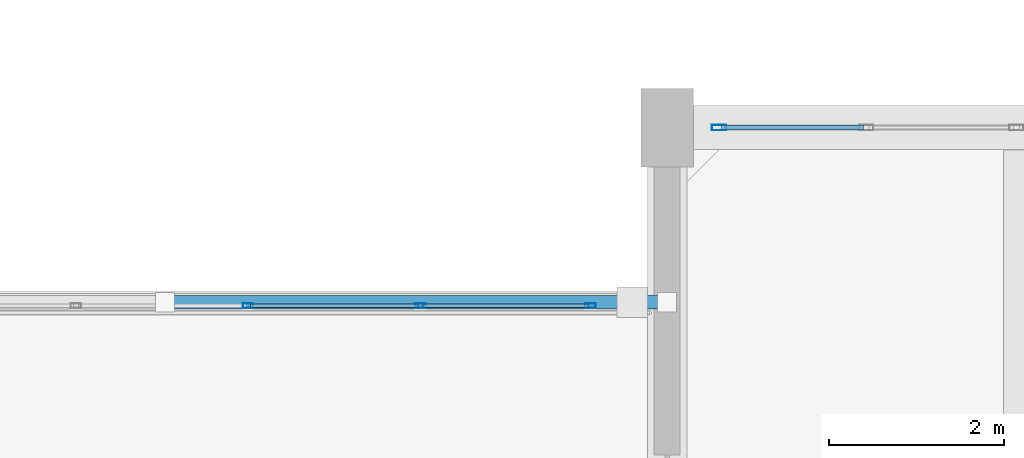
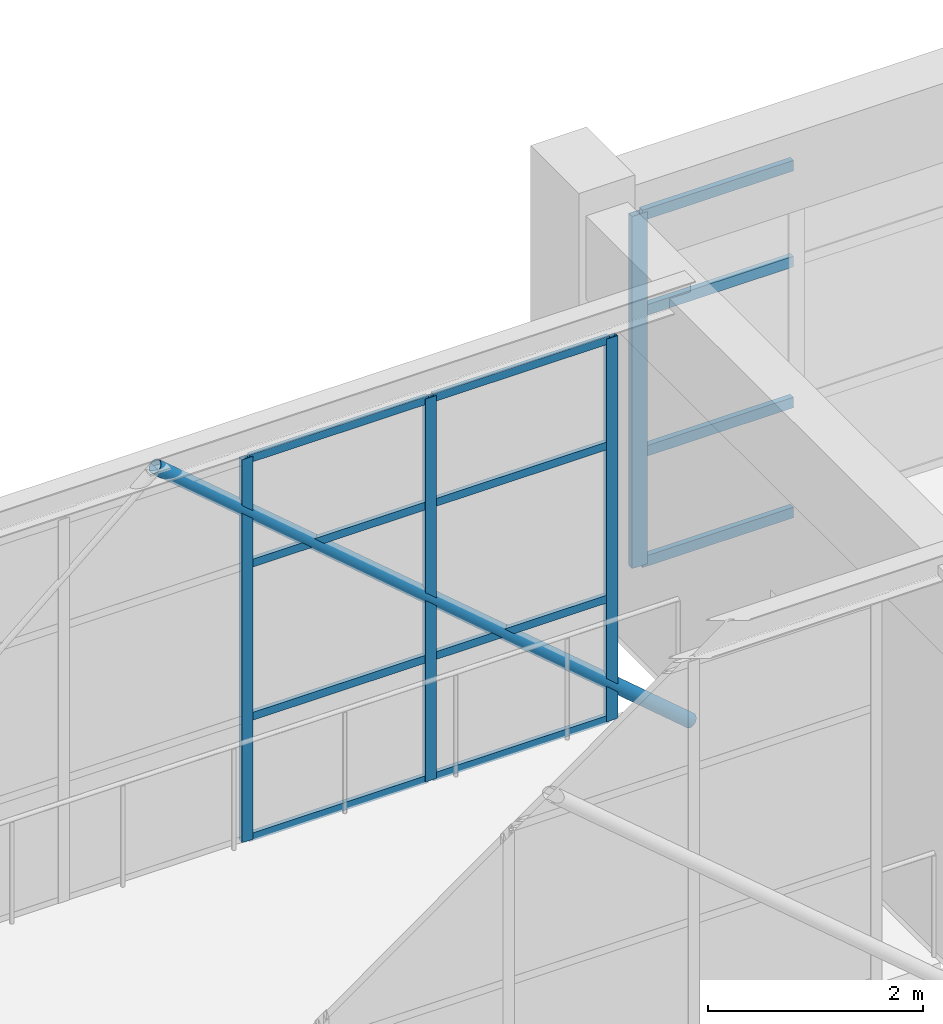
# One storey, part 176 of 248: 17 members, 2 elements without a shape of their own.
"""IFC4 building model written with IfcOpenShell, lengths in metres."""

from ifc_helpers import new_model, si_unit, direction, frame, origin, origin_2d, place, context, subcontext, project, spatial, hollow_rectangle, hollow_circle, extrude, material, layer, layer_set, material_profile, profile_set, type_object, element, aggregate, save


model = new_model("IFC4")

# Units and contexts
model_context = context("Model", 3, precision=1e-05, world=origin(), true_north=direction((0.0, 1.0)))
body_context = subcontext(model_context, "Body", "Model", "MODEL_VIEW")
ifc_project = project(units=[si_unit("LENGTHUNIT", "METRE"), si_unit("AREAUNIT", "SQUARE_METRE"), si_unit("VOLUMEUNIT", "CUBIC_METRE"), si_unit("PLANEANGLEUNIT", "RADIAN"), si_unit("MASSUNIT", "GRAM", prefix="KILO")], contexts=[model_context])

# Site, building, storey
site_placement = place(None, origin())
site = spatial("IfcSite", under=ifc_project, at=site_placement, CompositionType="ELEMENT")
building_placement = place(site_placement, origin())
building = spatial("IfcBuilding", under=site, at=building_placement, Name="Canggui Botanical Conservatory", CompositionType="ELEMENT")
storey_placement = place(building_placement, frame((0.0, 0.0, 5.39990234375)))
storey = spatial("IfcBuildingStorey", under=building, at=storey_placement, Name="L02", CompositionType="ELEMENT", Elevation=5.39990234375)

# Curtain wall, member
ifc_material_1 = material(Name="Thermally Broken Aluminium", Category="aluminium")
ifc_layer_1 = layer(ifc_material_1, 0.1650390625, Name="Thermally Broken Aluminium", Category="aluminium")
ifc_layer_set_1 = layer_set([ifc_layer_1], Name="Thermally Broken Aluminium")
curtain_wall_type_1 = type_object("IfcCurtainWallType", Name="CW-UNIT-B", PredefinedType="USERDEFINED", material=ifc_layer_set_1)
curtain_wall_1_placement = place(storey_placement, origin())
curtain_wall_1 = element("IfcCurtainWall", 1, at=curtain_wall_1_placement, inside=storey, type_object=curtain_wall_type_1, Name="Facade Curtain Wall CW-TWR-L02-14", ObjectType="UNITISED CURTAIN WALL", PredefinedType="USERDEFINED")
ifc_material_profile_1 = material_profile(ifc_material_1, hollow_rectangle(XDim=0.06494140625, YDim=0.1650390625, WallThickness=0.00390625, at=origin_2d()), Name="CWM 65x165x4")
ifc_profile_set_1 = profile_set([ifc_material_profile_1], Name="Thermally Broken Aluminium")
member_type_1 = type_object("IfcMemberType", Name="CWM-02", PredefinedType="MULLION", material=ifc_profile_set_1)
member_1_placement = place(storey_placement, frame((130.592529296875, 82.0, 0.0), z_axis=(0.0, 0.0, 1.0), x_axis=(0.0, 1.0, 0.0)))
member_1 = element("IfcMember", 2, at=member_1_placement, type_object=member_type_1, Name="CW-02 mullion 1", PredefinedType="MULLION", context=body_context, shape_type="SweptSolid", body=[
    extrude(hollow_rectangle(XDim=0.06494140625, YDim=0.1650390625, WallThickness=0.00390625, at=origin_2d()), origin(), (0.0, 0.0, 1.0), 4.0),
])

# Curtain wall, members
ifc_layer_2 = layer(ifc_material_1, 0.1201171875, Name="Thermally Broken Aluminium", Category="aluminium")
ifc_layer_set_2 = layer_set([ifc_layer_2], Name="Thermally Broken Aluminium")
curtain_wall_type_2 = type_object("IfcCurtainWallType", Name="CW-STICK-B", PredefinedType="USERDEFINED", material=ifc_layer_set_2)
curtain_wall_2_placement = place(storey_placement, origin())
curtain_wall_2 = element("IfcCurtainWall", 3, at=curtain_wall_2_placement, inside=storey, type_object=curtain_wall_type_2, Name="Facade Curtain Wall CW-SB-04-2", ObjectType="STICK GLAZED WALL", PredefinedType="USERDEFINED")
ifc_material_profile_2 = material_profile(ifc_material_1, hollow_rectangle(XDim=0.054931640625, YDim=0.1201171875, WallThickness=0.0029296875, at=origin_2d()), Name="CWM 55x120x3")
ifc_profile_set_2 = profile_set([ifc_material_profile_2], Name="Thermally Broken Aluminium")
member_type_2 = type_object("IfcMemberType", Name="CWM-05", PredefinedType="MULLION", material=ifc_profile_set_2)
member_2_placement = place(storey_placement, frame((125.204345703125, 79.9599609375, 0.0), z_axis=(0.0, 0.0, 1.0), x_axis=(0.0, 1.0, 0.0)))
member_2 = element("IfcMember", 4, at=member_2_placement, type_object=member_type_2, Name="CW-05 mullion 31", PredefinedType="MULLION", context=body_context, shape_type="SweptSolid", body=[
    extrude(hollow_rectangle(XDim=0.054931640625, YDim=0.1201171875, WallThickness=0.0029296875, at=origin_2d()), origin(), (0.0, 0.0, 1.0), 4.35009765625),
])
member_3_placement = place(storey_placement, frame((127.17724609375, 79.9599609375, 0.0), z_axis=(0.0, 0.0, 1.0), x_axis=(0.0, 1.0, 0.0)))
member_3 = element("IfcMember", 5, at=member_3_placement, type_object=member_type_2, Name="CW-05 mullion 32", PredefinedType="MULLION", context=body_context, shape_type="SweptSolid", body=[
    extrude(hollow_rectangle(XDim=0.054931640625, YDim=0.1201171875, WallThickness=0.0029296875, at=origin_2d()), origin(), (0.0, 0.0, 1.0), 4.35009765625),
])
member_4_placement = place(storey_placement, frame((129.12255859375, 79.9599609375, 0.0), z_axis=(0.0, 0.0, 1.0), x_axis=(0.0, 1.0, 0.0)))
member_4 = element("IfcMember", 6, at=member_4_placement, type_object=member_type_2, Name="CW-05 mullion 33", PredefinedType="MULLION", context=body_context, shape_type="SweptSolid", body=[
    extrude(hollow_rectangle(XDim=0.054931640625, YDim=0.1201171875, WallThickness=0.0029296875, at=origin_2d()), origin(), (0.0, 0.0, 1.0), 4.35009765625),
])

# Member
ifc_material_profile_3 = material_profile(ifc_material_1, hollow_rectangle(XDim=0.06005859375, YDim=0.1201171875, WallThickness=0.00341796875, at=origin_2d()), Name="CWT 60x120x3.5")
ifc_profile_set_3 = profile_set([ifc_material_profile_3], Name="Thermally Broken Aluminium")
member_type_3 = type_object("IfcMemberType", Name="CWT-02", PredefinedType="USERDEFINED", material=ifc_profile_set_3)
member_5_placement = place(storey_placement, frame((130.625, 82.0, 0.030029296875), z_axis=(1.0, 0.0, 0.0), x_axis=(0.0, 1.0, 0.0)))
member_5 = element("IfcMember", 7, at=member_5_placement, type_object=member_type_3, Name="CW-02 transom 1.1", ObjectType="TRANSOM", PredefinedType="USERDEFINED", context=body_context, shape_type="SweptSolid", body=[
    extrude(hollow_rectangle(XDim=0.06005859375, YDim=0.1201171875, WallThickness=0.00341796875, at=origin_2d()), origin(), (0.0, 0.0, 1.0), 1.62255859375),
])

member_6_placement = place(storey_placement, frame((130.625, 82.0, 1.280029296875), z_axis=(1.0, 0.0, 0.0), x_axis=(0.0, 1.0, 0.0)))
member_6 = element("IfcMember", 8, at=member_6_placement, type_object=member_type_3, Name="CW-02 transom 1.2", ObjectType="TRANSOM", PredefinedType="USERDEFINED", context=body_context, shape_type="SweptSolid", body=[
    extrude(hollow_rectangle(XDim=0.06005859375, YDim=0.1201171875, WallThickness=0.00341796875, at=origin_2d()), origin(), (0.0, 0.0, 1.0), 1.62255859375),
])

member_7_placement = place(storey_placement, frame((130.625, 82.0, 2.880126953125), z_axis=(1.0, 0.0, 0.0), x_axis=(0.0, 1.0, 0.0)))
member_7 = element("IfcMember", 9, at=member_7_placement, type_object=member_type_3, Name="CW-02 transom 1.3", ObjectType="TRANSOM", PredefinedType="USERDEFINED", context=body_context, shape_type="SweptSolid", body=[
    extrude(hollow_rectangle(XDim=0.06005859375, YDim=0.1201171875, WallThickness=0.00341796875, at=origin_2d()), origin(), (0.0, 0.0, 1.0), 1.62255859375),
])

member_8_placement = place(storey_placement, frame((130.625, 82.0, 3.97021484375), z_axis=(1.0, 0.0, 0.0), x_axis=(0.0, 1.0, 0.0)))
member_8 = element("IfcMember", 10, at=member_8_placement, type_object=member_type_3, Name="CW-02 transom 1.4", ObjectType="TRANSOM", PredefinedType="USERDEFINED", context=body_context, shape_type="SweptSolid", body=[
    extrude(hollow_rectangle(XDim=0.06005859375, YDim=0.1201171875, WallThickness=0.00341796875, at=origin_2d()), origin(), (0.0, 0.0, 1.0), 1.62255859375),
])

aggregate(curtain_wall_1, [member_1, member_5, member_6, member_7, member_8])

ifc_material_profile_4 = material_profile(ifc_material_1, hollow_rectangle(XDim=0.044921875, YDim=0.090087890625, WallThickness=0.0029296875, at=origin_2d()), Name="CWT 45x90x3")
ifc_profile_set_4 = profile_set([ifc_material_profile_4], Name="Thermally Broken Aluminium")
member_type_4 = type_object("IfcMemberType", Name="CWT-05", PredefinedType="USERDEFINED", material=ifc_profile_set_4)
member_9_placement = place(storey_placement, frame((125.23193359375, 79.9599609375, 0.022705078125), z_axis=(1.0, 0.0, 0.0), x_axis=(0.0, 1.0, 0.0)))
member_9 = element("IfcMember", 11, at=member_9_placement, type_object=member_type_4, Name="CW-05 transom 31.1", ObjectType="TRANSOM", PredefinedType="USERDEFINED", context=body_context, shape_type="SweptSolid", body=[
    extrude(hollow_rectangle(XDim=0.044921875, YDim=0.090087890625, WallThickness=0.0029296875, at=origin_2d()), origin(), (0.0, 0.0, 1.0), 1.917724609375),
])

member_10_placement = place(storey_placement, frame((125.23193359375, 79.9599609375, 1.39208984375), z_axis=(1.0, 0.0, 0.0), x_axis=(0.0, 1.0, 0.0)))
member_10 = element("IfcMember", 12, at=member_10_placement, type_object=member_type_4, Name="CW-05 transom 31.2", ObjectType="TRANSOM", PredefinedType="USERDEFINED", context=body_context, shape_type="SweptSolid", body=[
    extrude(hollow_rectangle(XDim=0.044921875, YDim=0.090087890625, WallThickness=0.0029296875, at=origin_2d()), origin(), (0.0, 0.0, 1.0), 1.917724609375),
])

member_11_placement = place(storey_placement, frame((125.23193359375, 79.9599609375, 3.132080078125), z_axis=(1.0, 0.0, 0.0), x_axis=(0.0, 1.0, 0.0)))
member_11 = element("IfcMember", 13, at=member_11_placement, type_object=member_type_4, Name="CW-05 transom 31.3", ObjectType="TRANSOM", PredefinedType="USERDEFINED", context=body_context, shape_type="SweptSolid", body=[
    extrude(hollow_rectangle(XDim=0.044921875, YDim=0.090087890625, WallThickness=0.0029296875, at=origin_2d()), origin(), (0.0, 0.0, 1.0), 1.917724609375),
])

member_12_placement = place(storey_placement, frame((125.23193359375, 79.9599609375, 4.32763671875), z_axis=(1.0, 0.0, 0.0), x_axis=(0.0, 1.0, 0.0)))
member_12 = element("IfcMember", 14, at=member_12_placement, type_object=member_type_4, Name="CW-05 transom 31.4", ObjectType="TRANSOM", PredefinedType="USERDEFINED", context=body_context, shape_type="SweptSolid", body=[
    extrude(hollow_rectangle(XDim=0.044921875, YDim=0.090087890625, WallThickness=0.0029296875, at=origin_2d()), origin(), (0.0, 0.0, 1.0), 1.917724609375),
])

member_13_placement = place(storey_placement, frame((127.20458984375, 79.9599609375, 0.022705078125), z_axis=(1.0, 0.0, 0.0), x_axis=(0.0, 1.0, 0.0)))
member_13 = element("IfcMember", 15, at=member_13_placement, type_object=member_type_4, Name="CW-05 transom 32.1", ObjectType="TRANSOM", PredefinedType="USERDEFINED", context=body_context, shape_type="SweptSolid", body=[
    extrude(hollow_rectangle(XDim=0.044921875, YDim=0.090087890625, WallThickness=0.0029296875, at=origin_2d()), origin(), (0.0, 0.0, 1.0), 1.890380859375),
])

member_14_placement = place(storey_placement, frame((127.20458984375, 79.9599609375, 1.39208984375), z_axis=(1.0, 0.0, 0.0), x_axis=(0.0, 1.0, 0.0)))
member_14 = element("IfcMember", 16, at=member_14_placement, type_object=member_type_4, Name="CW-05 transom 32.2", ObjectType="TRANSOM", PredefinedType="USERDEFINED", context=body_context, shape_type="SweptSolid", body=[
    extrude(hollow_rectangle(XDim=0.044921875, YDim=0.090087890625, WallThickness=0.0029296875, at=origin_2d()), origin(), (0.0, 0.0, 1.0), 1.890380859375),
])

member_15_placement = place(storey_placement, frame((127.20458984375, 79.9599609375, 3.132080078125), z_axis=(1.0, 0.0, 0.0), x_axis=(0.0, 1.0, 0.0)))
member_15 = element("IfcMember", 17, at=member_15_placement, type_object=member_type_4, Name="CW-05 transom 32.3", ObjectType="TRANSOM", PredefinedType="USERDEFINED", context=body_context, shape_type="SweptSolid", body=[
    extrude(hollow_rectangle(XDim=0.044921875, YDim=0.090087890625, WallThickness=0.0029296875, at=origin_2d()), origin(), (0.0, 0.0, 1.0), 1.890380859375),
])

member_16_placement = place(storey_placement, frame((127.20458984375, 79.9599609375, 4.32763671875), z_axis=(1.0, 0.0, 0.0), x_axis=(0.0, 1.0, 0.0)))
member_16 = element("IfcMember", 18, at=member_16_placement, type_object=member_type_4, Name="CW-05 transom 32.4", ObjectType="TRANSOM", PredefinedType="USERDEFINED", context=body_context, shape_type="SweptSolid", body=[
    extrude(hollow_rectangle(XDim=0.044921875, YDim=0.090087890625, WallThickness=0.0029296875, at=origin_2d()), origin(), (0.0, 0.0, 1.0), 1.890380859375),
])

aggregate(curtain_wall_2, [member_2, member_3, member_4, member_9, member_10, member_11, member_12, member_13, member_14, member_15, member_16])

ifc_material_2 = material(Name="Steel Q355C", Category="steel")
ifc_material_profile_5 = material_profile(ifc_material_2, hollow_circle(Radius=0.075927734375, WallThickness=0.006103515625, at=origin_2d()), Name="CHS 152x6")
ifc_profile_set_5 = profile_set([ifc_material_profile_5], Name="Steel Q355C")
member_type_5 = type_object("IfcMemberType", Name="MEM-GSD04", PredefinedType="RAFTER", material=ifc_profile_set_5)
member_17_placement = place(storey_placement, frame((124.25, 80.0, 4.550048828125), z_axis=(0.761128593641, 0.0, -0.648601005196), x_axis=(0.0, 1.0, 0.0)))
element("IfcMember", 19, at=member_17_placement, inside=storey, type_object=member_type_5, Name="SB-04 Truss Web Rafter 2.9B", PredefinedType="RAFTER", context=body_context, shape_type="SweptSolid", body=[
    extrude(hollow_circle(Radius=0.075927734375, WallThickness=0.006103515625, at=origin_2d()), origin(), (0.0, 0.0, 1.0), 7.5546875),
])

save(model, "model.ifc")
